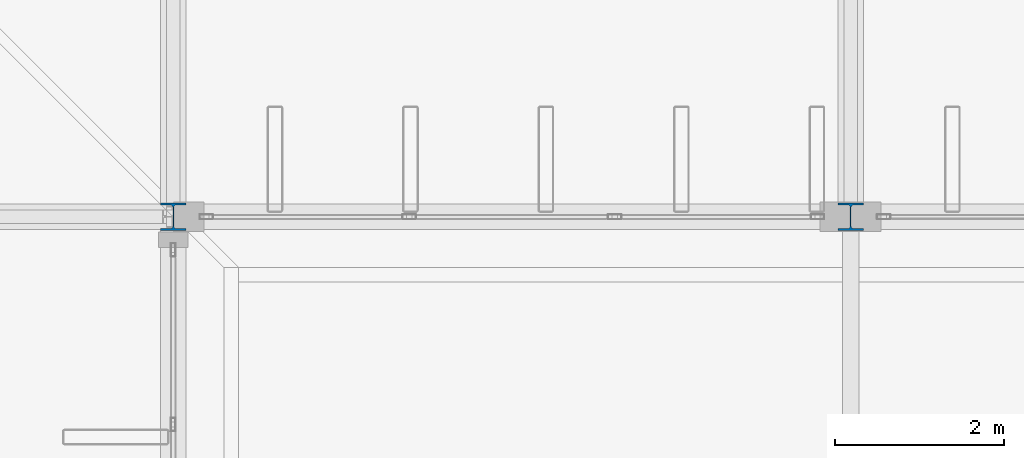
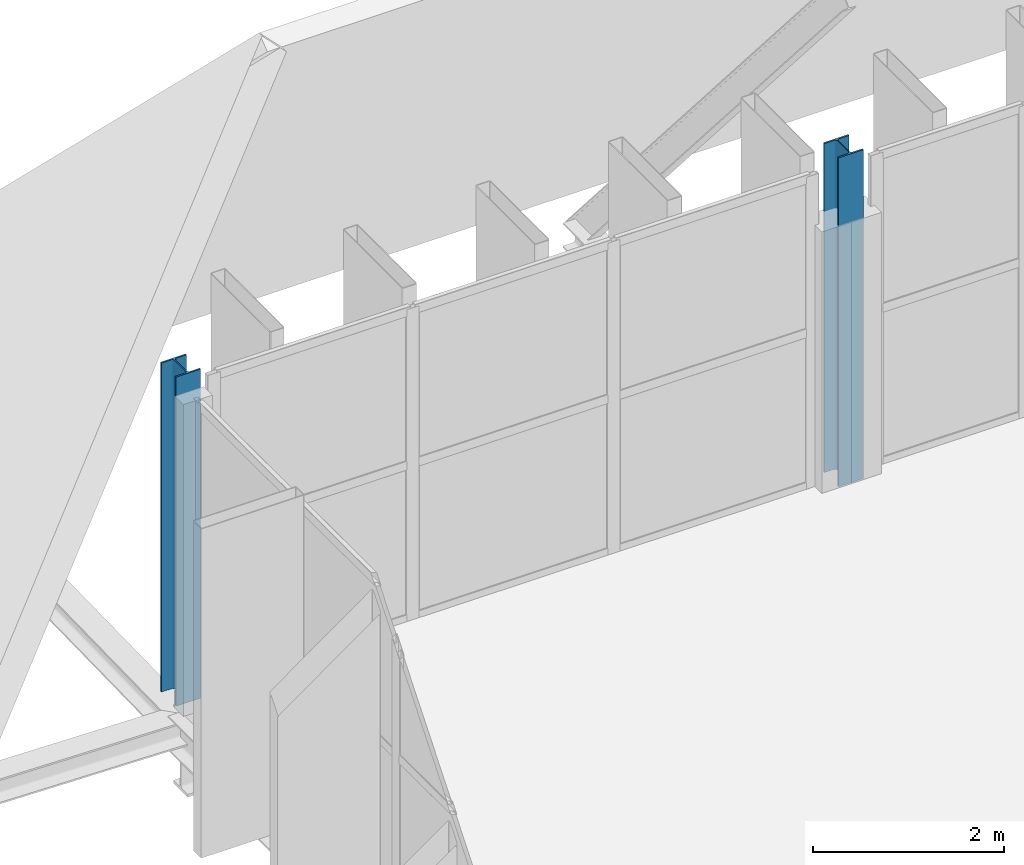
# One storey, part 6 of 93: 2 columns.
"""IFC4 building model written with IfcOpenShell, lengths in metres."""

from ifc_helpers import new_model, si_unit, direction, frame, origin, origin_2d, place, context, subcontext, project, spatial, i_section, extrude, material, material_profile, profile_set, type_object, element, save


model = new_model("IFC4")

# Units and contexts
model_context = context("Model", 3, precision=1e-05, world=origin(), true_north=direction((0.0, 1.0)))
body_context = subcontext(model_context, "Body", "Model", "MODEL_VIEW")
ifc_project = project(units=[si_unit("LENGTHUNIT", "METRE"), si_unit("AREAUNIT", "SQUARE_METRE"), si_unit("VOLUMEUNIT", "CUBIC_METRE"), si_unit("PLANEANGLEUNIT", "RADIAN"), si_unit("MASSUNIT", "GRAM", prefix="KILO")], contexts=[model_context])

# Site, building, storey
site_placement = place(None, origin())
site = spatial("IfcSite", under=ifc_project, at=site_placement, CompositionType="ELEMENT")
building_placement = place(site_placement, origin())
building = spatial("IfcBuilding", under=site, at=building_placement, Name="Vekula Escarpment Museum", CompositionType="ELEMENT")
storey_placement = place(building_placement, frame((0.0, 0.0, 22.199951171875)))
storey = spatial("IfcBuildingStorey", under=building, at=storey_placement, Name="L05", CompositionType="ELEMENT", Elevation=22.199951171875)

# Columns
ifc_material = material(Name="Steel S355", Category="steel")
ifc_material_profile = material_profile(ifc_material, i_section(OverallWidth=0.300048828125, OverallDepth=0.320068359375, WebThickness=0.011474609375, FlangeThickness=0.0205078125, FilletRadius=0.027099609375, at=origin_2d()), Name="HEB 320")
ifc_profile_set = profile_set([ifc_material_profile], Name="Steel S355")
column_type = type_object("IfcColumnType", Name="COL-S-HEB320", PredefinedType="COLUMN", material=ifc_profile_set)
for number, where, z_axis, x_axis, name in (
    (1, (70.0, 90.39990234375, 0.0), (0.0, 0.0, 1.0), (1.0, 0.0, 0.0), "Column L05 (70.0,90.4)"),
    (2, (78.0, 90.39990234375, 0.0), (0.0, 0.0, 1.0), (1.0, 0.0, 0.0), "Column L05 (78.0,90.4)"),
):
    element("IfcColumn", number, at=place(storey_placement, frame(where, z_axis=z_axis, x_axis=x_axis)), inside=storey, type_object=column_type, Name=name, PredefinedType="COLUMN", context=body_context, shape_type="SweptSolid", body=[
        extrude(i_section(OverallWidth=0.300048828125, OverallDepth=0.320068359375, WebThickness=0.011474609375, FlangeThickness=0.0205078125, FilletRadius=0.027099609375, at=origin_2d()), origin(), (0.0, 0.0, 1.0), 4.199951171875),
    ])

save(model, "model.ifc")
